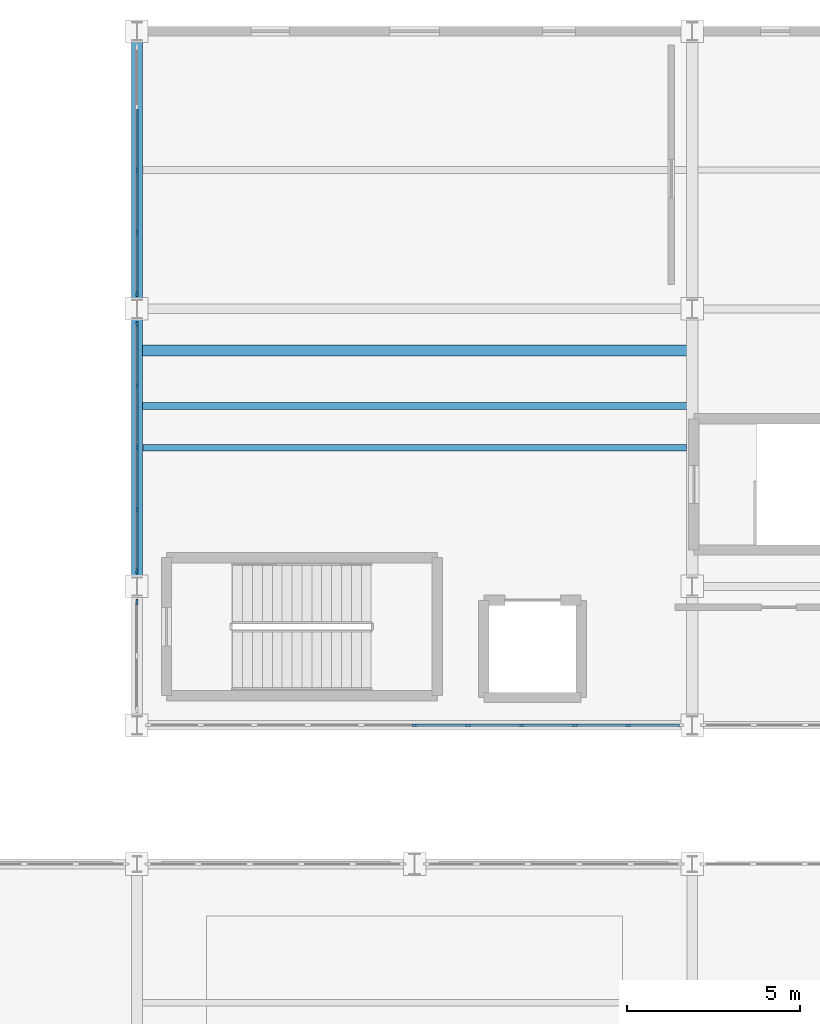
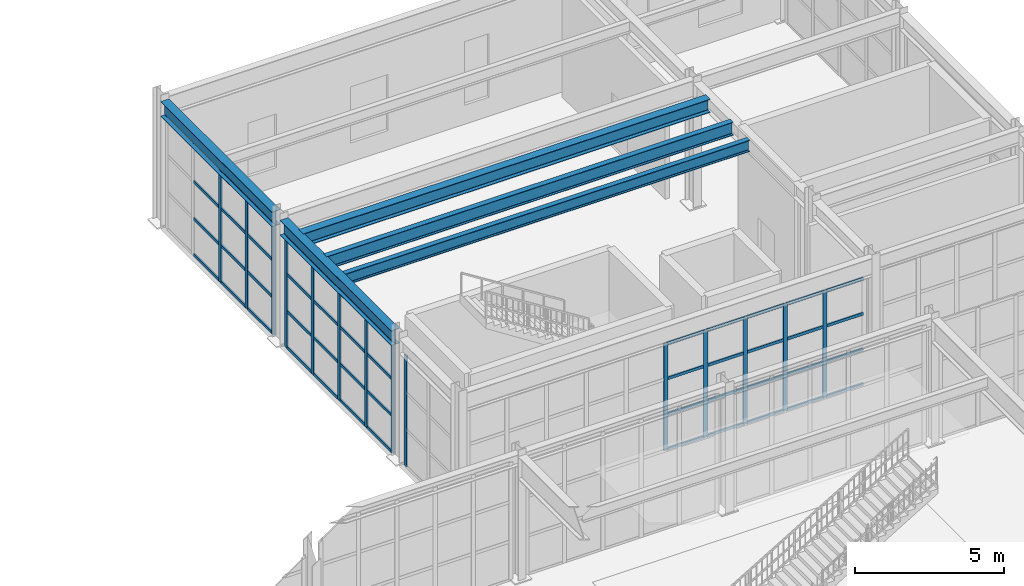
# One storey, part 33 of 82: 61 members, 5 beams, 4 elements without a shape of their own.
"""IFC4 building model written with IfcOpenShell, lengths in metres."""

from ifc_helpers import new_model, si_unit, direction, frame, origin, origin_2d, place, context, subcontext, project, spatial, rectangle, i_section, extrude, material, material_profile, profile_set, type_object, element, aggregate, save


model = new_model("IFC4")

# Units and contexts
model_context = context("Model", 3, precision=1e-05, world=origin(), true_north=direction((0.0, 1.0)))
body_context = subcontext(model_context, "Body", "Model", "MODEL_VIEW")
ifc_project = project(units=[si_unit("LENGTHUNIT", "METRE"), si_unit("AREAUNIT", "SQUARE_METRE"), si_unit("VOLUMEUNIT", "CUBIC_METRE"), si_unit("PLANEANGLEUNIT", "RADIAN"), si_unit("MASSUNIT", "GRAM", prefix="KILO")], contexts=[model_context])

# Site, building, storey
site_placement = place(None, origin())
site = spatial("IfcSite", under=ifc_project, at=site_placement, CompositionType="ELEMENT")
building_placement = place(site_placement, origin())
building = spatial("IfcBuilding", under=site, at=building_placement, Name="Serraluz Foothill Cableway Terminal", CompositionType="ELEMENT")
storey_placement = place(building_placement, frame((0.0, 0.0, 9.60009765625)))
storey = spatial("IfcBuildingStorey", under=building, at=storey_placement, Name="L02", CompositionType="ELEMENT", Elevation=9.60009765625)

# Beams
ifc_material_1 = material(Name="Steel ASTM A992 Grade 50", Category="steel")
ifc_material_profile_1 = material_profile(ifc_material_1, i_section(OverallWidth=0.31201171875, OverallDepth=0.54296875, WebThickness=0.0126953125, FlangeThickness=0.020263671875, FilletRadius=0.01611328125, at=origin_2d()), Name="W21X101")
ifc_profile_set_1 = profile_set([ifc_material_profile_1], Name="Steel ASTM A992 Grade 50")
beam_type_1 = type_object("IfcBeamType", Name="TYP-BM-W21X101", PredefinedType="BEAM", material=ifc_profile_set_1)
beam_1_placement = place(storey_placement, frame((80.1201171875, 86.800048828125, 4.87841796875), z_axis=(1.0, 0.0, 0.0), x_axis=(0.0, 1.0, 0.0)))
element("IfcBeam", 1, at=beam_1_placement, inside=storey, type_object=beam_type_1, Name="Machinery Support Girder BM-BW-4", PredefinedType="BEAM", context=body_context, shape_type="SweptSolid", body=[
    extrude(i_section(OverallWidth=0.31201171875, OverallDepth=0.54296875, WebThickness=0.0126953125, FlangeThickness=0.020263671875, FilletRadius=0.01611328125, at=origin_2d()), origin(), (0.0, 0.0, 1.0), 15.759765625),
])
ifc_material_profile_2 = material_profile(ifc_material_1, i_section(OverallWidth=0.2099609375, OverallDepth=0.537109375, WebThickness=0.010986328125, FlangeThickness=0.017333984375, FilletRadius=0.01611328125, at=origin_2d()), Name="W21X68")
ifc_profile_set_2 = profile_set([ifc_material_profile_2], Name="Steel ASTM A992 Grade 50")
beam_type_2 = type_object("IfcBeamType", Name="TYP-BM-W21X68", PredefinedType="BEAM", material=ifc_profile_set_2)
beam_2_placement = place(storey_placement, frame((80.1201171875, 85.199951171875, 4.88134765625), z_axis=(1.0, 0.0, 0.0), x_axis=(0.0, 1.0, 0.0)))
element("IfcBeam", 2, at=beam_2_placement, inside=storey, type_object=beam_type_2, Name="Machinery Support Girder BM-BW-3", PredefinedType="BEAM", context=body_context, shape_type="SweptSolid", body=[
    extrude(i_section(OverallWidth=0.2099609375, OverallDepth=0.537109375, WebThickness=0.010986328125, FlangeThickness=0.017333984375, FilletRadius=0.01611328125, at=origin_2d()), origin(), (0.0, 0.0, 1.0), 15.759765625),
])
ifc_material_profile_3 = material_profile(ifc_material_1, i_section(OverallWidth=0.324951171875, OverallDepth=0.615966796875, WebThickness=0.013916015625, FlangeThickness=0.021484375, FilletRadius=0.01806640625, at=origin_2d()), Name="W24X117")
ifc_profile_set_3 = profile_set([ifc_material_profile_3], Name="Steel ASTM A992 Grade 50")
beam_type_3 = type_object("IfcBeamType", Name="TYP-BM-W24X117", PredefinedType="BEAM", material=ifc_profile_set_3)
for number, where, z_axis, x_axis, name in (
    (3, (80.0, 80.267578125, 4.841796875), (0.0, 1.0, 0.0), (-1.0, 0.0, 0.0), "Transverse Girder BM-Y-L02-0332"),
    (4, (80.0, 88.267578125, 4.851806640625), (0.0, 1.0, 0.0), (-1.0, 0.0, 0.0), "Transverse Girder BM-Y-L02-0333"),
):
    element("IfcBeam", number, at=place(storey_placement, frame(where, z_axis=z_axis, x_axis=x_axis)), inside=storey, type_object=beam_type_3, Name=name, PredefinedType="BEAM", context=body_context, shape_type="SweptSolid", body=[
        extrude(i_section(OverallWidth=0.324951171875, OverallDepth=0.615966796875, WebThickness=0.013916015625, FlangeThickness=0.021484375, FilletRadius=0.01806640625, at=origin_2d()), origin(), (0.0, 0.0, 1.0), 7.46484375),
    ])

# Curtain wall, members
ifc_material_2 = material(Name="Architectural bronze alloy C28000", Category="aluminium")
curtain_wall_type = type_object("IfcCurtainWallType", Name="TYP-CW-680X420", PredefinedType="NOTDEFINED", material=ifc_material_2)
curtain_wall_1_placement = place(storey_placement, origin())
curtain_wall_1 = element("IfcCurtainWall", 5, at=curtain_wall_1_placement, inside=storey, type_object=curtain_wall_type, Name="Ribbed Glazed Curtain Wall CW-V4S-L02-80", PredefinedType="NOTDEFINED")
ifc_material_profile_4 = material_profile(ifc_material_2, rectangle(XDim=0.06005859375, YDim=0.159912109375, at=origin_2d()), Name="ALU MULLION 60x160")
ifc_profile_set_4 = profile_set([ifc_material_profile_4], Name="Architectural bronze alloy C28000")
member_type_1 = type_object("IfcMemberType", Name="TYP-CW-MUL-60X160", PredefinedType="MULLION", material=ifc_profile_set_4)
member_1_placement = place(storey_placement, frame((94.1630859375, 76.0, 0.0), z_axis=(0.0, 0.0, 1.0), x_axis=(0.0, -1.0, 0.0)))
member_1 = element("IfcMember", 6, at=member_1_placement, type_object=member_type_1, Name="CW-13 mullion 2", PredefinedType="MULLION", context=body_context, shape_type="SweptSolid", body=[
    extrude(rectangle(XDim=0.06005859375, YDim=0.159912109375, at=origin_2d()), origin(), (0.0, 0.0, 1.0), 4.3798828125),
])
member_2_placement = place(storey_placement, frame((92.622314453125, 76.0, 0.0), z_axis=(0.0, 0.0, 1.0), x_axis=(0.0, -1.0, 0.0)))
member_2 = element("IfcMember", 7, at=member_2_placement, type_object=member_type_1, Name="CW-13 mullion 3", PredefinedType="MULLION", context=body_context, shape_type="SweptSolid", body=[
    extrude(rectangle(XDim=0.06005859375, YDim=0.159912109375, at=origin_2d()), origin(), (0.0, 0.0, 1.0), 4.3798828125),
])
member_3_placement = place(storey_placement, frame((91.08154296875, 76.0, 0.0), z_axis=(0.0, 0.0, 1.0), x_axis=(0.0, -1.0, 0.0)))
member_3 = element("IfcMember", 8, at=member_3_placement, type_object=member_type_1, Name="CW-13 mullion 4", PredefinedType="MULLION", context=body_context, shape_type="SweptSolid", body=[
    extrude(rectangle(XDim=0.06005859375, YDim=0.159912109375, at=origin_2d()), origin(), (0.0, 0.0, 1.0), 4.3798828125),
])
member_4_placement = place(storey_placement, frame((89.540771484375, 76.0, 0.0), z_axis=(0.0, 0.0, 1.0), x_axis=(0.0, -1.0, 0.0)))
member_4 = element("IfcMember", 9, at=member_4_placement, type_object=member_type_1, Name="CW-13 mullion 5", PredefinedType="MULLION", context=body_context, shape_type="SweptSolid", body=[
    extrude(rectangle(XDim=0.06005859375, YDim=0.159912109375, at=origin_2d()), origin(), (0.0, 0.0, 1.0), 4.3798828125),
])
member_5_placement = place(storey_placement, frame((88.0, 76.0, 0.0), z_axis=(0.0, 0.0, 1.0), x_axis=(0.0, -1.0, 0.0)))
member_5 = element("IfcMember", 10, at=member_5_placement, type_object=member_type_1, Name="CW-13 mullion 6", PredefinedType="MULLION", context=body_context, shape_type="SweptSolid", body=[
    extrude(rectangle(XDim=0.06005859375, YDim=0.159912109375, at=origin_2d()), origin(), (0.0, 0.0, 1.0), 4.3798828125),
])

# Curtain wall, member
curtain_wall_2_placement = place(storey_placement, origin())
curtain_wall_2 = element("IfcCurtainWall", 11, at=curtain_wall_2_placement, inside=storey, type_object=curtain_wall_type, Name="Ribbed Glazed Curtain Wall CW-V4W-L02-76", PredefinedType="NOTDEFINED")
member_6_placement = place(storey_placement, frame((80.0, 79.55859375, 0.0), z_axis=(0.0, 0.0, 1.0), x_axis=(-1.0, 0.0, 0.0)))
member_6 = element("IfcMember", 12, at=member_6_placement, type_object=member_type_1, Name="CW-13 mullion 3", PredefinedType="MULLION", context=body_context, shape_type="SweptSolid", body=[
    extrude(rectangle(XDim=0.06005859375, YDim=0.159912109375, at=origin_2d()), origin(), (0.0, 0.0, 1.0), 4.533935546875),
])
aggregate(curtain_wall_2, [member_6])

# Curtain wall, members
curtain_wall_3_placement = place(storey_placement, origin())
curtain_wall_3 = element("IfcCurtainWall", 13, at=curtain_wall_3_placement, inside=storey, type_object=curtain_wall_type, Name="Ribbed Glazed Curtain Wall CW-V4W-L02-80", PredefinedType="NOTDEFINED")
member_7_placement = place(storey_placement, frame((80.0, 80.44140625, 0.0), z_axis=(0.0, 0.0, 1.0), x_axis=(-1.0, 0.0, 0.0)))
member_7 = element("IfcMember", 14, at=member_7_placement, type_object=member_type_1, Name="CW-13 mullion 1", PredefinedType="MULLION", context=body_context, shape_type="SweptSolid", body=[
    extrude(rectangle(XDim=0.06005859375, YDim=0.159912109375, at=origin_2d()), origin(), (0.0, 0.0, 1.0), 4.533935546875),
])
member_8_placement = place(storey_placement, frame((80.0, 82.205810546875, 0.0), z_axis=(0.0, 0.0, 1.0), x_axis=(-1.0, 0.0, 0.0)))
member_8 = element("IfcMember", 15, at=member_8_placement, type_object=member_type_1, Name="CW-13 mullion 2", PredefinedType="MULLION", context=body_context, shape_type="SweptSolid", body=[
    extrude(rectangle(XDim=0.06005859375, YDim=0.159912109375, at=origin_2d()), origin(), (0.0, 0.0, 1.0), 4.533935546875),
])
member_9_placement = place(storey_placement, frame((80.0, 84.0, 0.0), z_axis=(0.0, 0.0, 1.0), x_axis=(-1.0, 0.0, 0.0)))
member_9 = element("IfcMember", 16, at=member_9_placement, type_object=member_type_1, Name="CW-13 mullion 3", PredefinedType="MULLION", context=body_context, shape_type="SweptSolid", body=[
    extrude(rectangle(XDim=0.06005859375, YDim=0.159912109375, at=origin_2d()), origin(), (0.0, 0.0, 1.0), 4.533935546875),
])
member_10_placement = place(storey_placement, frame((80.0, 85.794189453125, 0.0), z_axis=(0.0, 0.0, 1.0), x_axis=(-1.0, 0.0, 0.0)))
member_10 = element("IfcMember", 17, at=member_10_placement, type_object=member_type_1, Name="CW-13 mullion 4", PredefinedType="MULLION", context=body_context, shape_type="SweptSolid", body=[
    extrude(rectangle(XDim=0.06005859375, YDim=0.159912109375, at=origin_2d()), origin(), (0.0, 0.0, 1.0), 4.533935546875),
])
member_11_placement = place(storey_placement, frame((80.0, 87.55859375, 0.0), z_axis=(0.0, 0.0, 1.0), x_axis=(-1.0, 0.0, 0.0)))
member_11 = element("IfcMember", 18, at=member_11_placement, type_object=member_type_1, Name="CW-13 mullion 5", PredefinedType="MULLION", context=body_context, shape_type="SweptSolid", body=[
    extrude(rectangle(XDim=0.06005859375, YDim=0.159912109375, at=origin_2d()), origin(), (0.0, 0.0, 1.0), 4.533935546875),
])

curtain_wall_4_placement = place(storey_placement, origin())
curtain_wall_4 = element("IfcCurtainWall", 19, at=curtain_wall_4_placement, inside=storey, type_object=curtain_wall_type, Name="Ribbed Glazed Curtain Wall CW-V4W-L02-88", PredefinedType="NOTDEFINED")
member_12_placement = place(storey_placement, frame((80.0, 88.44140625, 0.0), z_axis=(0.0, 0.0, 1.0), x_axis=(-1.0, 0.0, 0.0)))
member_12 = element("IfcMember", 20, at=member_12_placement, type_object=member_type_1, Name="CW-13 mullion 1", PredefinedType="MULLION", context=body_context, shape_type="SweptSolid", body=[
    extrude(rectangle(XDim=0.06005859375, YDim=0.159912109375, at=origin_2d()), origin(), (0.0, 0.0, 1.0), 4.5439453125),
])
member_13_placement = place(storey_placement, frame((80.0, 90.205810546875, 0.0), z_axis=(0.0, 0.0, 1.0), x_axis=(-1.0, 0.0, 0.0)))
member_13 = element("IfcMember", 21, at=member_13_placement, type_object=member_type_1, Name="CW-13 mullion 2", PredefinedType="MULLION", context=body_context, shape_type="SweptSolid", body=[
    extrude(rectangle(XDim=0.06005859375, YDim=0.159912109375, at=origin_2d()), origin(), (0.0, 0.0, 1.0), 4.5439453125),
])
member_14_placement = place(storey_placement, frame((80.0, 92.0, 0.0), z_axis=(0.0, 0.0, 1.0), x_axis=(-1.0, 0.0, 0.0)))
member_14 = element("IfcMember", 22, at=member_14_placement, type_object=member_type_1, Name="CW-13 mullion 3", PredefinedType="MULLION", context=body_context, shape_type="SweptSolid", body=[
    extrude(rectangle(XDim=0.06005859375, YDim=0.159912109375, at=origin_2d()), origin(), (0.0, 0.0, 1.0), 4.5439453125),
])

# Member
ifc_material_profile_5 = material_profile(ifc_material_2, rectangle(XDim=0.06005859375, YDim=0.1201171875, at=origin_2d()), Name="ALU TRANSOM 60x120")
ifc_profile_set_5 = profile_set([ifc_material_profile_5], Name="Architectural bronze alloy C28000")
member_type_2 = type_object("IfcMemberType", Name="TYP-CW-TRN-60X120", PredefinedType="USERDEFINED", material=ifc_profile_set_5)
member_15_placement = place(storey_placement, frame((95.64404296875, 76.0, 0.02978515625), z_axis=(-1.0, 0.0, 0.0), x_axis=(0.0, -1.0, 0.0)))
member_15 = element("IfcMember", 23, at=member_15_placement, type_object=member_type_2, Name="CW-13 transom 1.1", ObjectType="TRANSOM", PredefinedType="USERDEFINED", context=body_context, shape_type="SweptSolid", body=[
    extrude(rectangle(XDim=0.06005859375, YDim=0.1201171875, at=origin_2d()), origin(), (0.0, 0.0, 1.0), 1.450927734375),
])

member_16_placement = place(storey_placement, frame((95.64404296875, 76.0, 1.4599609375), z_axis=(-1.0, 0.0, 0.0), x_axis=(0.0, -1.0, 0.0)))
member_16 = element("IfcMember", 24, at=member_16_placement, type_object=member_type_2, Name="CW-13 transom 1.2", ObjectType="TRANSOM", PredefinedType="USERDEFINED", context=body_context, shape_type="SweptSolid", body=[
    extrude(rectangle(XDim=0.06005859375, YDim=0.1201171875, at=origin_2d()), origin(), (0.0, 0.0, 1.0), 1.450927734375),
])

member_17_placement = place(storey_placement, frame((95.64404296875, 76.0, 2.919921875), z_axis=(-1.0, 0.0, 0.0), x_axis=(0.0, -1.0, 0.0)))
member_17 = element("IfcMember", 25, at=member_17_placement, type_object=member_type_2, Name="CW-13 transom 1.3", ObjectType="TRANSOM", PredefinedType="USERDEFINED", context=body_context, shape_type="SweptSolid", body=[
    extrude(rectangle(XDim=0.06005859375, YDim=0.1201171875, at=origin_2d()), origin(), (0.0, 0.0, 1.0), 1.450927734375),
])

member_18_placement = place(storey_placement, frame((95.64404296875, 76.0, 4.349853515625), z_axis=(-1.0, 0.0, 0.0), x_axis=(0.0, -1.0, 0.0)))
member_18 = element("IfcMember", 26, at=member_18_placement, type_object=member_type_2, Name="CW-13 transom 1.4", ObjectType="TRANSOM", PredefinedType="USERDEFINED", context=body_context, shape_type="SweptSolid", body=[
    extrude(rectangle(XDim=0.06005859375, YDim=0.1201171875, at=origin_2d()), origin(), (0.0, 0.0, 1.0), 1.450927734375),
])

member_19_placement = place(storey_placement, frame((94.13330078125, 76.0, 0.02978515625), z_axis=(-1.0, 0.0, 0.0), x_axis=(0.0, -1.0, 0.0)))
member_19 = element("IfcMember", 27, at=member_19_placement, type_object=member_type_2, Name="CW-13 transom 2.1", ObjectType="TRANSOM", PredefinedType="USERDEFINED", context=body_context, shape_type="SweptSolid", body=[
    extrude(rectangle(XDim=0.06005859375, YDim=0.1201171875, at=origin_2d()), origin(), (0.0, 0.0, 1.0), 1.48095703125),
])

member_20_placement = place(storey_placement, frame((94.13330078125, 76.0, 1.4599609375), z_axis=(-1.0, 0.0, 0.0), x_axis=(0.0, -1.0, 0.0)))
member_20 = element("IfcMember", 28, at=member_20_placement, type_object=member_type_2, Name="CW-13 transom 2.2", ObjectType="TRANSOM", PredefinedType="USERDEFINED", context=body_context, shape_type="SweptSolid", body=[
    extrude(rectangle(XDim=0.06005859375, YDim=0.1201171875, at=origin_2d()), origin(), (0.0, 0.0, 1.0), 1.48095703125),
])

member_21_placement = place(storey_placement, frame((94.13330078125, 76.0, 2.919921875), z_axis=(-1.0, 0.0, 0.0), x_axis=(0.0, -1.0, 0.0)))
member_21 = element("IfcMember", 29, at=member_21_placement, type_object=member_type_2, Name="CW-13 transom 2.3", ObjectType="TRANSOM", PredefinedType="USERDEFINED", context=body_context, shape_type="SweptSolid", body=[
    extrude(rectangle(XDim=0.06005859375, YDim=0.1201171875, at=origin_2d()), origin(), (0.0, 0.0, 1.0), 1.48095703125),
])

member_22_placement = place(storey_placement, frame((94.13330078125, 76.0, 4.349853515625), z_axis=(-1.0, 0.0, 0.0), x_axis=(0.0, -1.0, 0.0)))
member_22 = element("IfcMember", 30, at=member_22_placement, type_object=member_type_2, Name="CW-13 transom 2.4", ObjectType="TRANSOM", PredefinedType="USERDEFINED", context=body_context, shape_type="SweptSolid", body=[
    extrude(rectangle(XDim=0.06005859375, YDim=0.1201171875, at=origin_2d()), origin(), (0.0, 0.0, 1.0), 1.48095703125),
])

member_23_placement = place(storey_placement, frame((92.59228515625, 76.0, 0.02978515625), z_axis=(-1.0, 0.0, 0.0), x_axis=(0.0, -1.0, 0.0)))
member_23 = element("IfcMember", 31, at=member_23_placement, type_object=member_type_2, Name="CW-13 transom 3.1", ObjectType="TRANSOM", PredefinedType="USERDEFINED", context=body_context, shape_type="SweptSolid", body=[
    extrude(rectangle(XDim=0.06005859375, YDim=0.1201171875, at=origin_2d()), origin(), (0.0, 0.0, 1.0), 1.480712890625),
])

member_24_placement = place(storey_placement, frame((92.59228515625, 76.0, 1.4599609375), z_axis=(-1.0, 0.0, 0.0), x_axis=(0.0, -1.0, 0.0)))
member_24 = element("IfcMember", 32, at=member_24_placement, type_object=member_type_2, Name="CW-13 transom 3.2", ObjectType="TRANSOM", PredefinedType="USERDEFINED", context=body_context, shape_type="SweptSolid", body=[
    extrude(rectangle(XDim=0.06005859375, YDim=0.1201171875, at=origin_2d()), origin(), (0.0, 0.0, 1.0), 1.480712890625),
])

member_25_placement = place(storey_placement, frame((92.59228515625, 76.0, 2.919921875), z_axis=(-1.0, 0.0, 0.0), x_axis=(0.0, -1.0, 0.0)))
member_25 = element("IfcMember", 33, at=member_25_placement, type_object=member_type_2, Name="CW-13 transom 3.3", ObjectType="TRANSOM", PredefinedType="USERDEFINED", context=body_context, shape_type="SweptSolid", body=[
    extrude(rectangle(XDim=0.06005859375, YDim=0.1201171875, at=origin_2d()), origin(), (0.0, 0.0, 1.0), 1.480712890625),
])

member_26_placement = place(storey_placement, frame((92.59228515625, 76.0, 4.349853515625), z_axis=(-1.0, 0.0, 0.0), x_axis=(0.0, -1.0, 0.0)))
member_26 = element("IfcMember", 34, at=member_26_placement, type_object=member_type_2, Name="CW-13 transom 3.4", ObjectType="TRANSOM", PredefinedType="USERDEFINED", context=body_context, shape_type="SweptSolid", body=[
    extrude(rectangle(XDim=0.06005859375, YDim=0.1201171875, at=origin_2d()), origin(), (0.0, 0.0, 1.0), 1.480712890625),
])

member_27_placement = place(storey_placement, frame((91.051513671875, 76.0, 0.02978515625), z_axis=(-1.0, 0.0, 0.0), x_axis=(0.0, -1.0, 0.0)))
member_27 = element("IfcMember", 35, at=member_27_placement, type_object=member_type_2, Name="CW-13 transom 4.1", ObjectType="TRANSOM", PredefinedType="USERDEFINED", context=body_context, shape_type="SweptSolid", body=[
    extrude(rectangle(XDim=0.06005859375, YDim=0.1201171875, at=origin_2d()), origin(), (0.0, 0.0, 1.0), 1.480712890625),
])

member_28_placement = place(storey_placement, frame((91.051513671875, 76.0, 1.4599609375), z_axis=(-1.0, 0.0, 0.0), x_axis=(0.0, -1.0, 0.0)))
member_28 = element("IfcMember", 36, at=member_28_placement, type_object=member_type_2, Name="CW-13 transom 4.2", ObjectType="TRANSOM", PredefinedType="USERDEFINED", context=body_context, shape_type="SweptSolid", body=[
    extrude(rectangle(XDim=0.06005859375, YDim=0.1201171875, at=origin_2d()), origin(), (0.0, 0.0, 1.0), 1.480712890625),
])

member_29_placement = place(storey_placement, frame((91.051513671875, 76.0, 2.919921875), z_axis=(-1.0, 0.0, 0.0), x_axis=(0.0, -1.0, 0.0)))
member_29 = element("IfcMember", 37, at=member_29_placement, type_object=member_type_2, Name="CW-13 transom 4.3", ObjectType="TRANSOM", PredefinedType="USERDEFINED", context=body_context, shape_type="SweptSolid", body=[
    extrude(rectangle(XDim=0.06005859375, YDim=0.1201171875, at=origin_2d()), origin(), (0.0, 0.0, 1.0), 1.480712890625),
])

member_30_placement = place(storey_placement, frame((91.051513671875, 76.0, 4.349853515625), z_axis=(-1.0, 0.0, 0.0), x_axis=(0.0, -1.0, 0.0)))
member_30 = element("IfcMember", 38, at=member_30_placement, type_object=member_type_2, Name="CW-13 transom 4.4", ObjectType="TRANSOM", PredefinedType="USERDEFINED", context=body_context, shape_type="SweptSolid", body=[
    extrude(rectangle(XDim=0.06005859375, YDim=0.1201171875, at=origin_2d()), origin(), (0.0, 0.0, 1.0), 1.480712890625),
])

member_31_placement = place(storey_placement, frame((89.5107421875, 76.0, 0.02978515625), z_axis=(-1.0, 0.0, 0.0), x_axis=(0.0, -1.0, 0.0)))
member_31 = element("IfcMember", 39, at=member_31_placement, type_object=member_type_2, Name="CW-13 transom 5.1", ObjectType="TRANSOM", PredefinedType="USERDEFINED", context=body_context, shape_type="SweptSolid", body=[
    extrude(rectangle(XDim=0.06005859375, YDim=0.1201171875, at=origin_2d()), origin(), (0.0, 0.0, 1.0), 1.480712890625),
])

member_32_placement = place(storey_placement, frame((89.5107421875, 76.0, 1.4599609375), z_axis=(-1.0, 0.0, 0.0), x_axis=(0.0, -1.0, 0.0)))
member_32 = element("IfcMember", 40, at=member_32_placement, type_object=member_type_2, Name="CW-13 transom 5.2", ObjectType="TRANSOM", PredefinedType="USERDEFINED", context=body_context, shape_type="SweptSolid", body=[
    extrude(rectangle(XDim=0.06005859375, YDim=0.1201171875, at=origin_2d()), origin(), (0.0, 0.0, 1.0), 1.480712890625),
])

member_33_placement = place(storey_placement, frame((89.5107421875, 76.0, 2.919921875), z_axis=(-1.0, 0.0, 0.0), x_axis=(0.0, -1.0, 0.0)))
member_33 = element("IfcMember", 41, at=member_33_placement, type_object=member_type_2, Name="CW-13 transom 5.3", ObjectType="TRANSOM", PredefinedType="USERDEFINED", context=body_context, shape_type="SweptSolid", body=[
    extrude(rectangle(XDim=0.06005859375, YDim=0.1201171875, at=origin_2d()), origin(), (0.0, 0.0, 1.0), 1.480712890625),
])

member_34_placement = place(storey_placement, frame((89.5107421875, 76.0, 4.349853515625), z_axis=(-1.0, 0.0, 0.0), x_axis=(0.0, -1.0, 0.0)))
member_34 = element("IfcMember", 42, at=member_34_placement, type_object=member_type_2, Name="CW-13 transom 5.4", ObjectType="TRANSOM", PredefinedType="USERDEFINED", context=body_context, shape_type="SweptSolid", body=[
    extrude(rectangle(XDim=0.06005859375, YDim=0.1201171875, at=origin_2d()), origin(), (0.0, 0.0, 1.0), 1.480712890625),
])

aggregate(curtain_wall_1, [member_1, member_2, member_3, member_4, member_5, member_15, member_16, member_17, member_18, member_19, member_20, member_21, member_22, member_23, member_24, member_25, member_26, member_27, member_28, member_29, member_30, member_31, member_32, member_33, member_34])

member_35_placement = place(storey_placement, frame((80.0, 80.471435546875, 0.02978515625), z_axis=(0.0, 1.0, 0.0), x_axis=(-1.0, 0.0, 0.0)))
member_35 = element("IfcMember", 43, at=member_35_placement, type_object=member_type_2, Name="CW-13 transom 1.1", ObjectType="TRANSOM", PredefinedType="USERDEFINED", context=body_context, shape_type="SweptSolid", body=[
    extrude(rectangle(XDim=0.06005859375, YDim=0.1201171875, at=origin_2d()), origin(), (0.0, 0.0, 1.0), 1.704345703125),
])

member_36_placement = place(storey_placement, frame((80.0, 80.471435546875, 1.51123046875), z_axis=(0.0, 1.0, 0.0), x_axis=(-1.0, 0.0, 0.0)))
member_36 = element("IfcMember", 44, at=member_36_placement, type_object=member_type_2, Name="CW-13 transom 1.2", ObjectType="TRANSOM", PredefinedType="USERDEFINED", context=body_context, shape_type="SweptSolid", body=[
    extrude(rectangle(XDim=0.06005859375, YDim=0.1201171875, at=origin_2d()), origin(), (0.0, 0.0, 1.0), 1.704345703125),
])

member_37_placement = place(storey_placement, frame((80.0, 80.471435546875, 3.022705078125), z_axis=(0.0, 1.0, 0.0), x_axis=(-1.0, 0.0, 0.0)))
member_37 = element("IfcMember", 45, at=member_37_placement, type_object=member_type_2, Name="CW-13 transom 1.3", ObjectType="TRANSOM", PredefinedType="USERDEFINED", context=body_context, shape_type="SweptSolid", body=[
    extrude(rectangle(XDim=0.06005859375, YDim=0.1201171875, at=origin_2d()), origin(), (0.0, 0.0, 1.0), 1.704345703125),
])

member_38_placement = place(storey_placement, frame((80.0, 80.471435546875, 4.50390625), z_axis=(0.0, 1.0, 0.0), x_axis=(-1.0, 0.0, 0.0)))
member_38 = element("IfcMember", 46, at=member_38_placement, type_object=member_type_2, Name="CW-13 transom 1.4", ObjectType="TRANSOM", PredefinedType="USERDEFINED", context=body_context, shape_type="SweptSolid", body=[
    extrude(rectangle(XDim=0.06005859375, YDim=0.1201171875, at=origin_2d()), origin(), (0.0, 0.0, 1.0), 1.704345703125),
])

member_39_placement = place(storey_placement, frame((80.0, 82.23583984375, 0.02978515625), z_axis=(0.0, 1.0, 0.0), x_axis=(-1.0, 0.0, 0.0)))
member_39 = element("IfcMember", 47, at=member_39_placement, type_object=member_type_2, Name="CW-13 transom 2.1", ObjectType="TRANSOM", PredefinedType="USERDEFINED", context=body_context, shape_type="SweptSolid", body=[
    extrude(rectangle(XDim=0.06005859375, YDim=0.1201171875, at=origin_2d()), origin(), (0.0, 0.0, 1.0), 1.734130859375),
])

member_40_placement = place(storey_placement, frame((80.0, 82.23583984375, 1.51123046875), z_axis=(0.0, 1.0, 0.0), x_axis=(-1.0, 0.0, 0.0)))
member_40 = element("IfcMember", 48, at=member_40_placement, type_object=member_type_2, Name="CW-13 transom 2.2", ObjectType="TRANSOM", PredefinedType="USERDEFINED", context=body_context, shape_type="SweptSolid", body=[
    extrude(rectangle(XDim=0.06005859375, YDim=0.1201171875, at=origin_2d()), origin(), (0.0, 0.0, 1.0), 1.734130859375),
])

member_41_placement = place(storey_placement, frame((80.0, 82.23583984375, 3.022705078125), z_axis=(0.0, 1.0, 0.0), x_axis=(-1.0, 0.0, 0.0)))
member_41 = element("IfcMember", 49, at=member_41_placement, type_object=member_type_2, Name="CW-13 transom 2.3", ObjectType="TRANSOM", PredefinedType="USERDEFINED", context=body_context, shape_type="SweptSolid", body=[
    extrude(rectangle(XDim=0.06005859375, YDim=0.1201171875, at=origin_2d()), origin(), (0.0, 0.0, 1.0), 1.734130859375),
])

member_42_placement = place(storey_placement, frame((80.0, 82.23583984375, 4.50390625), z_axis=(0.0, 1.0, 0.0), x_axis=(-1.0, 0.0, 0.0)))
member_42 = element("IfcMember", 50, at=member_42_placement, type_object=member_type_2, Name="CW-13 transom 2.4", ObjectType="TRANSOM", PredefinedType="USERDEFINED", context=body_context, shape_type="SweptSolid", body=[
    extrude(rectangle(XDim=0.06005859375, YDim=0.1201171875, at=origin_2d()), origin(), (0.0, 0.0, 1.0), 1.734130859375),
])

member_43_placement = place(storey_placement, frame((80.0, 84.030029296875, 0.02978515625), z_axis=(0.0, 1.0, 0.0), x_axis=(-1.0, 0.0, 0.0)))
member_43 = element("IfcMember", 51, at=member_43_placement, type_object=member_type_2, Name="CW-13 transom 3.1", ObjectType="TRANSOM", PredefinedType="USERDEFINED", context=body_context, shape_type="SweptSolid", body=[
    extrude(rectangle(XDim=0.06005859375, YDim=0.1201171875, at=origin_2d()), origin(), (0.0, 0.0, 1.0), 1.734130859375),
])

member_44_placement = place(storey_placement, frame((80.0, 84.030029296875, 1.51123046875), z_axis=(0.0, 1.0, 0.0), x_axis=(-1.0, 0.0, 0.0)))
member_44 = element("IfcMember", 52, at=member_44_placement, type_object=member_type_2, Name="CW-13 transom 3.2", ObjectType="TRANSOM", PredefinedType="USERDEFINED", context=body_context, shape_type="SweptSolid", body=[
    extrude(rectangle(XDim=0.06005859375, YDim=0.1201171875, at=origin_2d()), origin(), (0.0, 0.0, 1.0), 1.734130859375),
])

member_45_placement = place(storey_placement, frame((80.0, 84.030029296875, 3.022705078125), z_axis=(0.0, 1.0, 0.0), x_axis=(-1.0, 0.0, 0.0)))
member_45 = element("IfcMember", 53, at=member_45_placement, type_object=member_type_2, Name="CW-13 transom 3.3", ObjectType="TRANSOM", PredefinedType="USERDEFINED", context=body_context, shape_type="SweptSolid", body=[
    extrude(rectangle(XDim=0.06005859375, YDim=0.1201171875, at=origin_2d()), origin(), (0.0, 0.0, 1.0), 1.734130859375),
])

member_46_placement = place(storey_placement, frame((80.0, 84.030029296875, 4.50390625), z_axis=(0.0, 1.0, 0.0), x_axis=(-1.0, 0.0, 0.0)))
member_46 = element("IfcMember", 54, at=member_46_placement, type_object=member_type_2, Name="CW-13 transom 3.4", ObjectType="TRANSOM", PredefinedType="USERDEFINED", context=body_context, shape_type="SweptSolid", body=[
    extrude(rectangle(XDim=0.06005859375, YDim=0.1201171875, at=origin_2d()), origin(), (0.0, 0.0, 1.0), 1.734130859375),
])

member_47_placement = place(storey_placement, frame((80.0, 85.82421875, 0.02978515625), z_axis=(0.0, 1.0, 0.0), x_axis=(-1.0, 0.0, 0.0)))
member_47 = element("IfcMember", 55, at=member_47_placement, type_object=member_type_2, Name="CW-13 transom 4.1", ObjectType="TRANSOM", PredefinedType="USERDEFINED", context=body_context, shape_type="SweptSolid", body=[
    extrude(rectangle(XDim=0.06005859375, YDim=0.1201171875, at=origin_2d()), origin(), (0.0, 0.0, 1.0), 1.704345703125),
])

member_48_placement = place(storey_placement, frame((80.0, 85.82421875, 1.51123046875), z_axis=(0.0, 1.0, 0.0), x_axis=(-1.0, 0.0, 0.0)))
member_48 = element("IfcMember", 56, at=member_48_placement, type_object=member_type_2, Name="CW-13 transom 4.2", ObjectType="TRANSOM", PredefinedType="USERDEFINED", context=body_context, shape_type="SweptSolid", body=[
    extrude(rectangle(XDim=0.06005859375, YDim=0.1201171875, at=origin_2d()), origin(), (0.0, 0.0, 1.0), 1.704345703125),
])

member_49_placement = place(storey_placement, frame((80.0, 85.82421875, 3.022705078125), z_axis=(0.0, 1.0, 0.0), x_axis=(-1.0, 0.0, 0.0)))
member_49 = element("IfcMember", 57, at=member_49_placement, type_object=member_type_2, Name="CW-13 transom 4.3", ObjectType="TRANSOM", PredefinedType="USERDEFINED", context=body_context, shape_type="SweptSolid", body=[
    extrude(rectangle(XDim=0.06005859375, YDim=0.1201171875, at=origin_2d()), origin(), (0.0, 0.0, 1.0), 1.704345703125),
])

member_50_placement = place(storey_placement, frame((80.0, 85.82421875, 4.50390625), z_axis=(0.0, 1.0, 0.0), x_axis=(-1.0, 0.0, 0.0)))
member_50 = element("IfcMember", 58, at=member_50_placement, type_object=member_type_2, Name="CW-13 transom 4.4", ObjectType="TRANSOM", PredefinedType="USERDEFINED", context=body_context, shape_type="SweptSolid", body=[
    extrude(rectangle(XDim=0.06005859375, YDim=0.1201171875, at=origin_2d()), origin(), (0.0, 0.0, 1.0), 1.704345703125),
])

aggregate(curtain_wall_3, [member_7, member_8, member_9, member_10, member_11, member_35, member_36, member_37, member_38, member_39, member_40, member_41, member_42, member_43, member_44, member_45, member_46, member_47, member_48, member_49, member_50])

member_51_placement = place(storey_placement, frame((80.0, 88.471435546875, 0.02978515625), z_axis=(0.0, 1.0, 0.0), x_axis=(-1.0, 0.0, 0.0)))
member_51 = element("IfcMember", 59, at=member_51_placement, type_object=member_type_2, Name="CW-13 transom 1.1", ObjectType="TRANSOM", PredefinedType="USERDEFINED", context=body_context, shape_type="SweptSolid", body=[
    extrude(rectangle(XDim=0.06005859375, YDim=0.1201171875, at=origin_2d()), origin(), (0.0, 0.0, 1.0), 1.704345703125),
])

member_52_placement = place(storey_placement, frame((80.0, 88.471435546875, 1.5146484375), z_axis=(0.0, 1.0, 0.0), x_axis=(-1.0, 0.0, 0.0)))
member_52 = element("IfcMember", 60, at=member_52_placement, type_object=member_type_2, Name="CW-13 transom 1.2", ObjectType="TRANSOM", PredefinedType="USERDEFINED", context=body_context, shape_type="SweptSolid", body=[
    extrude(rectangle(XDim=0.06005859375, YDim=0.1201171875, at=origin_2d()), origin(), (0.0, 0.0, 1.0), 1.704345703125),
])

member_53_placement = place(storey_placement, frame((80.0, 88.471435546875, 3.029296875), z_axis=(0.0, 1.0, 0.0), x_axis=(-1.0, 0.0, 0.0)))
member_53 = element("IfcMember", 61, at=member_53_placement, type_object=member_type_2, Name="CW-13 transom 1.3", ObjectType="TRANSOM", PredefinedType="USERDEFINED", context=body_context, shape_type="SweptSolid", body=[
    extrude(rectangle(XDim=0.06005859375, YDim=0.1201171875, at=origin_2d()), origin(), (0.0, 0.0, 1.0), 1.704345703125),
])

member_54_placement = place(storey_placement, frame((80.0, 88.471435546875, 4.513916015625), z_axis=(0.0, 1.0, 0.0), x_axis=(-1.0, 0.0, 0.0)))
member_54 = element("IfcMember", 62, at=member_54_placement, type_object=member_type_2, Name="CW-13 transom 1.4", ObjectType="TRANSOM", PredefinedType="USERDEFINED", context=body_context, shape_type="SweptSolid", body=[
    extrude(rectangle(XDim=0.06005859375, YDim=0.1201171875, at=origin_2d()), origin(), (0.0, 0.0, 1.0), 1.704345703125),
])

member_55_placement = place(storey_placement, frame((80.0, 90.23583984375, 0.02978515625), z_axis=(0.0, 1.0, 0.0), x_axis=(-1.0, 0.0, 0.0)))
member_55 = element("IfcMember", 63, at=member_55_placement, type_object=member_type_2, Name="CW-13 transom 2.1", ObjectType="TRANSOM", PredefinedType="USERDEFINED", context=body_context, shape_type="SweptSolid", body=[
    extrude(rectangle(XDim=0.06005859375, YDim=0.1201171875, at=origin_2d()), origin(), (0.0, 0.0, 1.0), 1.734130859375),
])

member_56_placement = place(storey_placement, frame((80.0, 90.23583984375, 1.5146484375), z_axis=(0.0, 1.0, 0.0), x_axis=(-1.0, 0.0, 0.0)))
member_56 = element("IfcMember", 64, at=member_56_placement, type_object=member_type_2, Name="CW-13 transom 2.2", ObjectType="TRANSOM", PredefinedType="USERDEFINED", context=body_context, shape_type="SweptSolid", body=[
    extrude(rectangle(XDim=0.06005859375, YDim=0.1201171875, at=origin_2d()), origin(), (0.0, 0.0, 1.0), 1.734130859375),
])

member_57_placement = place(storey_placement, frame((80.0, 90.23583984375, 3.029296875), z_axis=(0.0, 1.0, 0.0), x_axis=(-1.0, 0.0, 0.0)))
member_57 = element("IfcMember", 65, at=member_57_placement, type_object=member_type_2, Name="CW-13 transom 2.3", ObjectType="TRANSOM", PredefinedType="USERDEFINED", context=body_context, shape_type="SweptSolid", body=[
    extrude(rectangle(XDim=0.06005859375, YDim=0.1201171875, at=origin_2d()), origin(), (0.0, 0.0, 1.0), 1.734130859375),
])

member_58_placement = place(storey_placement, frame((80.0, 90.23583984375, 4.513916015625), z_axis=(0.0, 1.0, 0.0), x_axis=(-1.0, 0.0, 0.0)))
member_58 = element("IfcMember", 66, at=member_58_placement, type_object=member_type_2, Name="CW-13 transom 2.4", ObjectType="TRANSOM", PredefinedType="USERDEFINED", context=body_context, shape_type="SweptSolid", body=[
    extrude(rectangle(XDim=0.06005859375, YDim=0.1201171875, at=origin_2d()), origin(), (0.0, 0.0, 1.0), 1.734130859375),
])

member_59_placement = place(storey_placement, frame((80.0, 92.030029296875, 0.02978515625), z_axis=(0.0, 1.0, 0.0), x_axis=(-1.0, 0.0, 0.0)))
member_59 = element("IfcMember", 67, at=member_59_placement, type_object=member_type_2, Name="CW-13 transom 3.1", ObjectType="TRANSOM", PredefinedType="USERDEFINED", context=body_context, shape_type="SweptSolid", body=[
    extrude(rectangle(XDim=0.06005859375, YDim=0.1201171875, at=origin_2d()), origin(), (0.0, 0.0, 1.0), 1.734130859375),
])

member_60_placement = place(storey_placement, frame((80.0, 92.030029296875, 1.5146484375), z_axis=(0.0, 1.0, 0.0), x_axis=(-1.0, 0.0, 0.0)))
member_60 = element("IfcMember", 68, at=member_60_placement, type_object=member_type_2, Name="CW-13 transom 3.2", ObjectType="TRANSOM", PredefinedType="USERDEFINED", context=body_context, shape_type="SweptSolid", body=[
    extrude(rectangle(XDim=0.06005859375, YDim=0.1201171875, at=origin_2d()), origin(), (0.0, 0.0, 1.0), 1.734130859375),
])

member_61_placement = place(storey_placement, frame((80.0, 92.030029296875, 3.029296875), z_axis=(0.0, 1.0, 0.0), x_axis=(-1.0, 0.0, 0.0)))
member_61 = element("IfcMember", 69, at=member_61_placement, type_object=member_type_2, Name="CW-13 transom 3.3", ObjectType="TRANSOM", PredefinedType="USERDEFINED", context=body_context, shape_type="SweptSolid", body=[
    extrude(rectangle(XDim=0.06005859375, YDim=0.1201171875, at=origin_2d()), origin(), (0.0, 0.0, 1.0), 1.734130859375),
])

aggregate(curtain_wall_4, [member_12, member_13, member_14, member_51, member_52, member_53, member_54, member_55, member_56, member_57, member_58, member_59, member_60, member_61])

# Beam
ifc_material_profile_6 = material_profile(ifc_material_1, i_section(OverallWidth=0.193115234375, OverallDepth=0.467041015625, WebThickness=0.011474609375, FlangeThickness=0.01904296875, FilletRadius=0.014892578125, at=origin_2d()), Name="W18X65")
ifc_profile_set_6 = profile_set([ifc_material_profile_6], Name="Steel ASTM A992 Grade 50")
beam_type_4 = type_object("IfcBeamType", Name="TYP-JS-W18X65", PredefinedType="JOIST", material=ifc_profile_set_6)
beam_3_placement = place(storey_placement, frame((80.16748046875, 84.0, 4.91650390625), z_axis=(1.0, 0.0, 0.0), x_axis=(0.0, 1.0, 0.0)))
element("IfcBeam", 70, at=beam_3_placement, inside=storey, type_object=beam_type_4, Name="Secondary Floor Joist JS-L02-0128", PredefinedType="JOIST", context=body_context, shape_type="SweptSolid", body=[
    extrude(i_section(OverallWidth=0.193115234375, OverallDepth=0.467041015625, WebThickness=0.011474609375, FlangeThickness=0.01904296875, FilletRadius=0.014892578125, at=origin_2d()), origin(), (0.0, 0.0, 1.0), 15.6650390625),
])

save(model, "model.ifc")
